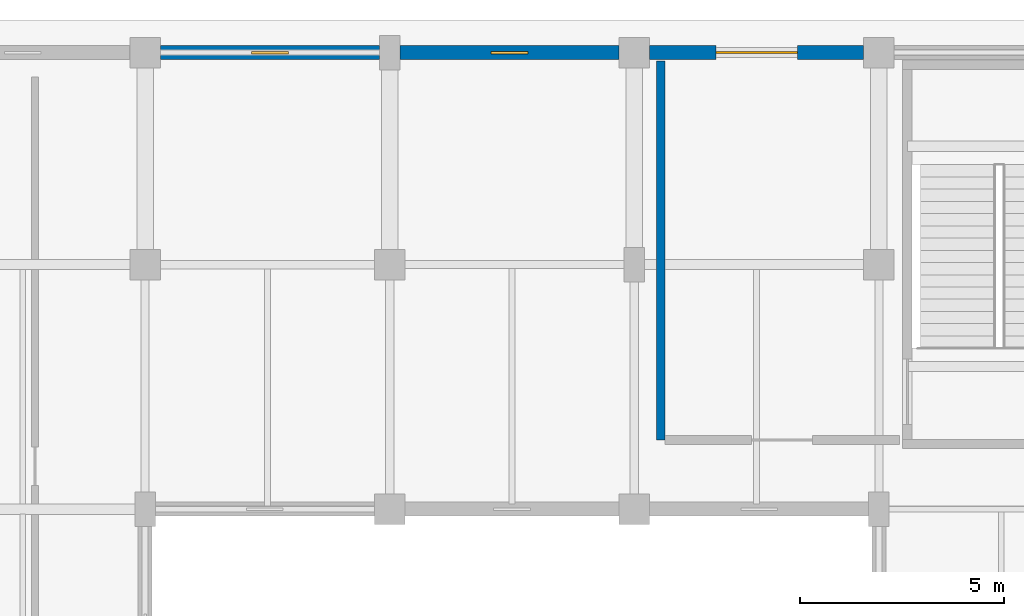
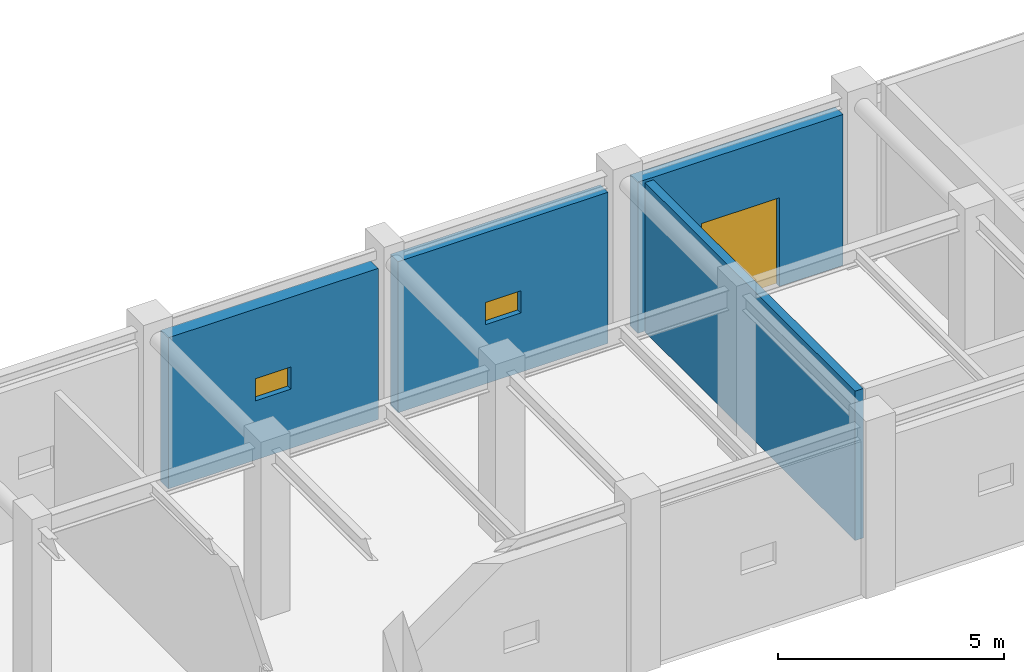
# One storey, part 49 of 76: 4 walls, 2 windows, 1 door, 3 openings.
"""IFC4 building model written with IfcOpenShell, lengths in metres."""

import ifcopenshell
import ifcopenshell.guid

model = None  # the IFC model being written
_history = None  # IfcOwnerHistory: only IFC2X3 demands one
_inside = {}  # id of a spatial element -> (the spatial element, [elements in it])
_under = {}  # id of a project, library or spatial element -> (it, [spatial elements below it])
_declared = {}  # id of a project -> (the project, [libraries it declares])
_typed = {}  # id of a type object -> (the type object, [elements of that type])
_made_of = {}  # id of a material, layer set ... -> (it, [elements and type objects made of it])


def new_model(schema):
    """Start an empty IFC model of exactly this schema.

    Asked for "IFC4X3", IfcOpenShell would pick the latest addendum, in which some entities
    have other attributes; the version numbers below select the first issue.
    IFC2X3 requires an IfcOwnerHistory on every rooted entity: one is made here for all.
    """
    global model, _history
    if schema == "IFC4X3":
        model = ifcopenshell.file(schema_version=(4, 3, 0, 0))
    else:
        model = ifcopenshell.file(schema=schema)
    _inside.clear()
    _under.clear()
    _declared.clear()
    _typed.clear()
    _made_of.clear()
    _history = None
    if model.schema == "IFC2X3":
        org = make("IfcOrganization", Name="unknown")
        user = make(
            "IfcPersonAndOrganization",
            ThePerson=make("IfcPerson", FamilyName="unknown"),
            TheOrganization=org,
        )
        app = make(
            "IfcApplication",
            ApplicationDeveloper=org,
            Version="unknown",
            ApplicationFullName="unknown",
            ApplicationIdentifier="unknown",
        )
        _history = make(
            "IfcOwnerHistory",
            OwningUser=user,
            OwningApplication=app,
            ChangeAction="ADDED",
            CreationDate=0,
        )
    return model


def make(cls, **values):
    """One entity of the class cls with the attributes given. An attribute that is None is left unset."""
    return model.create_entity(
        cls, **{name: value for name, value in values.items() if value is not None}
    )


def rooted(cls, **values):
    """An entity with a GlobalId (a new one), such as an element, a storey or a relation."""
    return make(cls, GlobalId=ifcopenshell.guid.new(), OwnerHistory=_history, **values)


def si_unit(unit_type, name, prefix=None):
    """IfcSIUnit, for example si_unit("LENGTHUNIT", "METRE", prefix="MILLI")."""
    return make("IfcSIUnit", UnitType=unit_type, Prefix=prefix, Name=name)


def assignment(units):
    """IfcUnitAssignment: the units of a project."""
    return None if units is None else make("IfcUnitAssignment", Units=units)


def point(xyz):
    """IfcCartesianPoint."""
    return None if xyz is None else make("IfcCartesianPoint", Coordinates=xyz)


def direction(xyz):
    """IfcDirection."""
    return None if xyz is None else make("IfcDirection", DirectionRatios=xyz)


def frame(location, z_axis=None, x_axis=None):
    """IfcAxis2Placement3D, a coordinate frame: its origin and axes. An axis left out is left unset."""
    return make(
        "IfcAxis2Placement3D",
        Location=point(location),
        Axis=direction(z_axis),
        RefDirection=direction(x_axis),
    )


def frame_2d(location, x_axis=None):
    """IfcAxis2Placement2D, a coordinate frame in the plane: its origin and x axis."""
    return make(
        "IfcAxis2Placement2D", Location=point(location), RefDirection=direction(x_axis)
    )


def origin():
    """The frame at (0, 0, 0) with its axes left unset."""
    return frame((0.0, 0.0, 0.0))


def place(relative_to, where):
    """IfcLocalPlacement: puts the frame where relative to a parent placement (None: the world)."""
    return make(
        "IfcLocalPlacement", PlacementRelTo=relative_to, RelativePlacement=where
    )


def context(
    kind, dimensions, precision=None, world=None, true_north=None, identifier=None
):
    """IfcGeometricRepresentationContext, for example the 3D "Model" context."""
    return make(
        "IfcGeometricRepresentationContext",
        ContextIdentifier=identifier,
        ContextType=kind,
        CoordinateSpaceDimension=dimensions,
        Precision=precision,
        WorldCoordinateSystem=world,
        TrueNorth=true_north,
    )


def subcontext(parent, identifier, kind, view, scale=None):
    """IfcGeometricRepresentationSubContext, for example "Body" below "Model"."""
    return make(
        "IfcGeometricRepresentationSubContext",
        ContextIdentifier=identifier,
        ContextType=kind,
        ParentContext=parent,
        TargetScale=scale,
        TargetView=view,
    )


def project(units=None, contexts=None):
    """IfcProject with its units and contexts."""
    return rooted(
        "IfcProject",
        Name="project",
        RepresentationContexts=contexts,
        UnitsInContext=assignment(units),
    )


def spatial(cls, under=None, at=None, **own):
    """A site, building, storey or space (cls), placed at a placement, below another one or the project."""
    s = rooted(cls, ObjectPlacement=at, **own)
    if under is not None:
        _under.setdefault(under.id(), (under, []))[1].append(s)
    return s


def profile(cls, at=None, kind="AREA", **sizes):
    """A parametric profile (cls). Its sizes go by their IFC names, for example OverallWidth=200.0."""
    return make(cls, ProfileType=kind, Position=at, **sizes)


def rectangle(**sizes):
    """IfcRectangleProfileDef."""
    return profile("IfcRectangleProfileDef", **sizes)


def extrude(swept, where, along, depth):
    """IfcExtrudedAreaSolid: the profile swept, set in the frame where, extruded along a direction by depth."""
    return make(
        "IfcExtrudedAreaSolid",
        SweptArea=swept,
        Position=where,
        ExtrudedDirection=direction(along),
        Depth=depth,
    )


def shape(context_of_items, identifier, shape_type, items):
    """IfcShapeRepresentation: the items that make up one representation, for example the "Body"."""
    return make(
        "IfcShapeRepresentation",
        ContextOfItems=context_of_items,
        RepresentationIdentifier=identifier,
        RepresentationType=shape_type,
        Items=items,
    )


def material(Name=None, Category=None):
    """IfcMaterial."""
    return make("IfcMaterial", Name=Name, Category=Category)


def layer(
    of_material, thickness, ventilated=None, Name=None, Category=None, Priority=None
):
    """IfcMaterialLayer: one layer of a wall or slab, of a material (None: an air gap)."""
    return make(
        "IfcMaterialLayer",
        Material=of_material,
        LayerThickness=thickness,
        IsVentilated=ventilated,
        Name=Name,
        Category=Category,
        Priority=Priority,
    )


def layer_set(layers, Name=None):
    """IfcMaterialLayerSet."""
    return make("IfcMaterialLayerSet", MaterialLayers=layers, LayerSetName=Name)


def made_of(thing, what):
    """Note that an element or type object is made of a material, layer set ...; save() writes the relation."""
    if what is not None:
        _made_of.setdefault(what.id(), (what, []))[1].append(thing)
    return thing


def type_object(cls, material=None, **own):
    """A type object (cls), such as IfcWallType, which elements share."""
    return made_of(rooted(cls, **own), material)


def element(
    cls,
    number,
    at=None,
    inside=None,
    cuts=None,
    type_object=None,
    material=None,
    context=None,
    identifier="Body",
    shape_type=None,
    held_by="IfcProductDefinitionShape",
    body=None,
    shapes=None,
    **own,
):
    """One element of the class cls, such as IfcWall. Its Tag is "e" and its number.

    at: its placement. inside: the storey or other place that contains it. cuts: it is an
    opening in that element (IfcRelVoidsElement). A single representation is given by context,
    identifier, shape_type and body (its items); several are given by shapes. held_by: the class
    of the entity that holds the representations. save() writes the other relations.
    """
    e = rooted(cls, Tag="e%d" % number, ObjectPlacement=at, **own)
    if body is not None:
        shapes = [shape(context, identifier, shape_type, body)]
    if shapes is not None:
        e.Representation = make(held_by, Representations=shapes)
    if inside is not None:
        _inside.setdefault(inside.id(), (inside, []))[1].append(e)
    if cuts is not None:
        rooted(
            "IfcRelVoidsElement", RelatingBuildingElement=cuts, RelatedOpeningElement=e
        )
    if type_object is not None:
        _typed.setdefault(type_object.id(), (type_object, []))[1].append(e)
    return made_of(e, material)


def fill(opening, filler):
    """IfcRelFillsElement: the door or window that sits in an opening."""
    return rooted(
        "IfcRelFillsElement",
        RelatingOpeningElement=opening,
        RelatedBuildingElement=filler,
    )


def aggregate(whole, parts):
    """IfcRelAggregates: a whole, such as a stair, and the parts it consists of."""
    return rooted("IfcRelAggregates", RelatingObject=whole, RelatedObjects=parts)


def save(model, path):
    """Write the relations noted so far, then the file.

    IfcRelAggregates (storeys below a building ...), IfcRelContainedInSpatialStructure (elements
    in a storey), IfcRelDefinesByType, IfcRelAssociatesMaterial and IfcRelDeclares: one each for
    every whole, place, type object, material and project.
    """
    for whole, parts in _under.values():
        aggregate(whole, parts)
    for where, things in _inside.values():
        rooted(
            "IfcRelContainedInSpatialStructure",
            RelatedElements=things,
            RelatingStructure=where,
        )
    for kind, things in _typed.values():
        rooted("IfcRelDefinesByType", RelatedObjects=things, RelatingType=kind)
    for what, things in _made_of.values():
        rooted("IfcRelAssociatesMaterial", RelatedObjects=things, RelatingMaterial=what)
    for by, libraries in _declared.values():
        rooted("IfcRelDeclares", RelatingContext=by, RelatedDefinitions=libraries)
    model.write(path)


model = new_model("IFC4")

# Units and contexts
model_context = context("Model", 3, precision=1e-05, world=origin(), true_north=direction((0.0, 1.0)))
body_context = subcontext(model_context, "Body", "Model", "MODEL_VIEW")
ifc_project = project(units=[si_unit("LENGTHUNIT", "METRE"), si_unit("AREAUNIT", "SQUARE_METRE"), si_unit("VOLUMEUNIT", "CUBIC_METRE"), si_unit("PLANEANGLEUNIT", "RADIAN"), si_unit("MASSUNIT", "GRAM", prefix="KILO")], contexts=[model_context])

# Site, building, storey
site_placement = place(None, origin())
site = spatial("IfcSite", under=ifc_project, at=site_placement, CompositionType="ELEMENT")
building_placement = place(site_placement, origin())
building = spatial("IfcBuilding", under=site, at=building_placement, Name="Varnakota Square Police Headquarters", CompositionType="ELEMENT")
storey_placement = place(building_placement, origin())
storey = spatial("IfcBuildingStorey", under=building, at=storey_placement, Name="L00", CompositionType="ELEMENT", Elevation=0.0)

# Wall, opening, window
ifc_material_1 = material(Name="Concrete M40", Category="concrete")
ifc_layer_1 = layer(ifc_material_1, 0.340087890625, Name="Concrete M40")
ifc_layer_set_1 = layer_set([ifc_layer_1], Name="Concrete M40")
wall_type_1 = type_object("IfcWallType", Name="WL-EXT-340", PredefinedType="SOLIDWALL", material=ifc_layer_set_1)
wall_1_placement = place(storey_placement, frame((114.37890625, 110.199951171875, 0.0), z_axis=(0.0, 0.0, 1.0), x_axis=(1.0, 0.0, 0.0)))
wall_1 = element("IfcWall", 1, at=wall_1_placement, inside=storey, type_object=wall_type_1, Name="Exterior wall EW-L00-0654", PredefinedType="SOLIDWALL", context=body_context, shape_type="SweptSolid", body=[
    extrude(rectangle(XDim=5.3671875, YDim=0.340087890625, at=frame_2d((2.68359375, 0.0))), origin(), (0.0, 0.0, 1.0), 4.08349609375),
])
opening_1_placement = place(wall_1_placement, frame((2.2333984375, 0.0, 1.60009765625)))
opening_1 = element("IfcOpeningElement", 2, at=opening_1_placement, cuts=wall_1, Name="Opening W13", PredefinedType="OPENING", context=body_context, shape_type="SweptSolid", body=[
    extrude(rectangle(XDim=0.89990234375, YDim=0.60009765625, at=frame_2d((0.449951171875, 0.300048828125))), frame((0.0, 0.179931640625, 0.0), z_axis=(0.0, -1.0, 0.0), x_axis=(1.0, 0.0, 0.0)), (0.0, 0.0, 1.0), 0.360107421875),
])
ifc_material_2 = material(Name="Thermally Broken Aluminium Double-Glazed Window", Category="aluminium")
window_type = type_object("IfcWindowType", Name="WIN-13", PartitioningType="SINGLE_PANEL", PredefinedType="WINDOW", material=ifc_material_2)
window_1_placement = place(opening_1_placement, origin())
window_1 = element("IfcWindow", 3, at=window_1_placement, inside=storey, type_object=window_type, Name="Window WN-L00-0165", OverallHeight=0.60009765625, OverallWidth=0.89990234375, PartitioningType="SINGLE_PANEL", PredefinedType="WINDOW", context=body_context, shape_type="SweptSolid", body=[
    extrude(rectangle(XDim=0.89990234375, YDim=0.60009765625, at=frame_2d((0.449951171875, 0.300048828125))), frame((0.0, 0.030029296875, 0.0), z_axis=(0.0, -1.0, 0.0), x_axis=(1.0, 0.0, 0.0)), (0.0, 0.0, 1.0), 0.06005859375),
])
fill(opening_1, window_1)

wall_2_placement = place(storey_placement, frame((120.25390625, 110.199951171875, 0.0), z_axis=(0.0, 0.0, 1.0), x_axis=(1.0, 0.0, 0.0)))
wall_2 = element("IfcWall", 4, at=wall_2_placement, inside=storey, type_object=wall_type_1, Name="Exterior wall EW-L00-0655", PredefinedType="SOLIDWALL", context=body_context, shape_type="SweptSolid", body=[
    extrude(rectangle(XDim=5.3671875, YDim=0.340087890625, at=frame_2d((2.68359375, 0.0))), origin(), (0.0, 0.0, 1.0), 4.08349609375),
])
opening_2_placement = place(wall_2_placement, frame((2.2333984375, 0.0, 1.60009765625)))
opening_2 = element("IfcOpeningElement", 5, at=opening_2_placement, cuts=wall_2, Name="Opening W13", PredefinedType="OPENING", context=body_context, shape_type="SweptSolid", body=[
    extrude(rectangle(XDim=0.89990234375, YDim=0.60009765625, at=frame_2d((0.449951171875, 0.300048828125))), frame((0.0, 0.179931640625, 0.0), z_axis=(0.0, -1.0, 0.0), x_axis=(1.0, 0.0, 0.0)), (0.0, 0.0, 1.0), 0.360107421875),
])
window_2_placement = place(opening_2_placement, origin())
window_2 = element("IfcWindow", 6, at=window_2_placement, inside=storey, type_object=window_type, Name="Window WN-L00-0166", OverallHeight=0.60009765625, OverallWidth=0.89990234375, PartitioningType="SINGLE_PANEL", PredefinedType="WINDOW", context=body_context, shape_type="SweptSolid", body=[
    extrude(rectangle(XDim=0.89990234375, YDim=0.60009765625, at=frame_2d((0.449951171875, 0.300048828125))), frame((0.0, 0.030029296875, 0.0), z_axis=(0.0, -1.0, 0.0), x_axis=(1.0, 0.0, 0.0)), (0.0, 0.0, 1.0), 0.06005859375),
])
fill(opening_2, window_2)

# Wall, opening, door
wall_3_placement = place(storey_placement, frame((126.37890625, 110.199951171875, 0.0), z_axis=(0.0, 0.0, 1.0), x_axis=(1.0, 0.0, 0.0)))
wall_3 = element("IfcWall", 7, at=wall_3_placement, inside=storey, type_object=wall_type_1, Name="Exterior wall EW-L00-0656", PredefinedType="SOLIDWALL", context=body_context, shape_type="SweptSolid", body=[
    extrude(rectangle(XDim=5.2421875, YDim=0.340087890625, at=frame_2d((2.62109375, 0.0))), origin(), (0.0, 0.0, 1.0), 4.08349609375),
])
opening_3_placement = place(wall_3_placement, frame((1.62109375, 0.0, 0.0)))
opening_3 = element("IfcOpeningElement", 8, at=opening_3_placement, cuts=wall_3, Name="Opening ED05", PredefinedType="OPENING", context=body_context, shape_type="SweptSolid", body=[
    extrude(rectangle(XDim=2.0, YDim=2.39990234375, at=frame_2d((1.0, 1.199951171875))), frame((0.0, 0.179931640625, 0.0), z_axis=(0.0, -1.0, 0.0), x_axis=(1.0, 0.0, 0.0)), (0.0, 0.0, 1.0), 0.360107421875),
])
ifc_material_3 = material(Name="Powder-Coated Steel Exit Door", Category="steel")
door_type = type_object("IfcDoorType", Name="DR-EXT-ED200", OperationType="NOTDEFINED", PredefinedType="DOOR", material=ifc_material_3)
door_placement = place(opening_3_placement, origin())
door = element("IfcDoor", 9, at=door_placement, inside=storey, type_object=door_type, Name="Exterior door ED05", OperationType="DOUBLE_DOOR_SINGLE_SWING", OverallHeight=2.39990234375, OverallWidth=2.0, PredefinedType="DOOR", context=body_context, shape_type="SweptSolid", body=[
    extrude(rectangle(XDim=2.0, YDim=2.39990234375, at=frame_2d((1.0, 1.199951171875))), frame((0.0, 0.02490234375, 0.0), z_axis=(0.0, -1.0, 0.0), x_axis=(1.0, 0.0, 0.0)), (0.0, 0.0, 1.0), 0.050048828125),
])
fill(opening_3, door)

# Wall
ifc_layer_2 = layer(ifc_material_1, 0.215087890625, Name="Concrete M40")
ifc_layer_set_2 = layer_set([ifc_layer_2], Name="Concrete M40")
wall_type_2 = type_object("IfcWallType", Name="WL-PRT-215F", PredefinedType="PARTITIONING", material=ifc_layer_set_2)
wall_4_placement = place(storey_placement, frame((126.64990234375, 100.699951171875, 0.0), z_axis=(0.0, 0.0, 1.0), x_axis=(0.0, 1.0, 0.0)))
element("IfcWall", 10, at=wall_4_placement, inside=storey, type_object=wall_type_2, Name="Protected exit passageway fire wall EXW-C8-W", PredefinedType="PARTITIONING", context=body_context, shape_type="SweptSolid", body=[
    extrude(rectangle(XDim=9.300048828125, YDim=0.215087890625, at=frame_2d((4.64990234375, 0.0))), origin(), (0.0, 0.0, 1.0), 4.0400390625),
])

save(model, "model.ifc")
